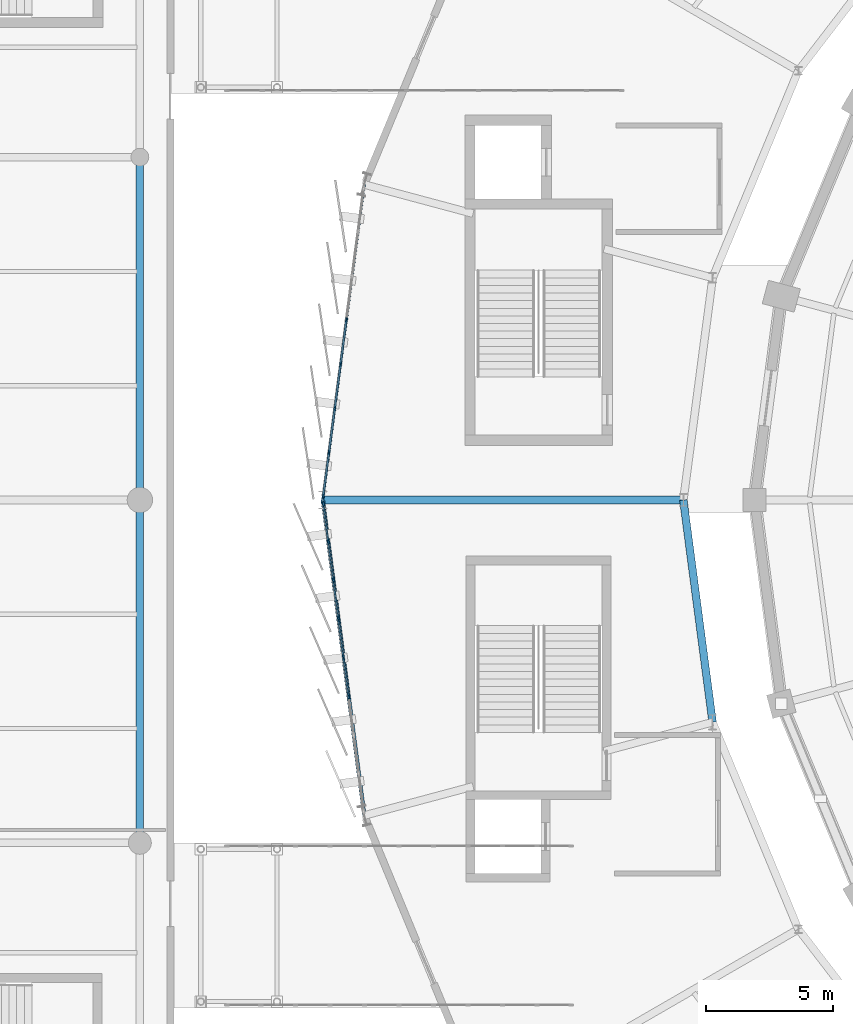
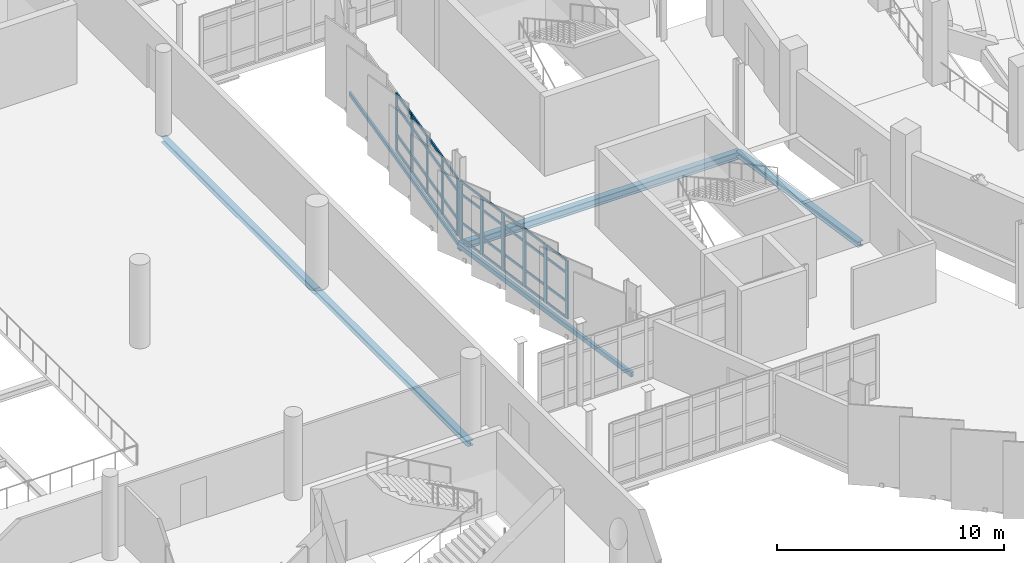
# One storey, part 46 of 134: 47 members, 6 beams, 2 elements without a shape of their own.
"""IFC4 building model written with IfcOpenShell, lengths in metres."""

from ifc_helpers import new_model, si_unit, direction, frame, origin, origin_2d, place, context, subcontext, project, spatial, rectangle, hollow_rectangle, i_section, extrude, material, layer, layer_set, material_profile, profile_set, type_object, element, aggregate, save


model = new_model("IFC4")

# Units and contexts
model_context = context("Model", 3, precision=1e-05, world=origin(), true_north=direction((0.0, 1.0)))
body_context = subcontext(model_context, "Body", "Model", "MODEL_VIEW")
ifc_project = project(units=[si_unit("LENGTHUNIT", "METRE"), si_unit("AREAUNIT", "SQUARE_METRE"), si_unit("VOLUMEUNIT", "CUBIC_METRE"), si_unit("PLANEANGLEUNIT", "RADIAN"), si_unit("MASSUNIT", "GRAM", prefix="KILO")], contexts=[model_context])

# Site, building, storey
site_placement = place(None, origin())
site = spatial("IfcSite", under=ifc_project, at=site_placement, CompositionType="ELEMENT")
building_placement = place(site_placement, origin())
building = spatial("IfcBuilding", under=site, at=building_placement, Name="Sohan Crest Arena", CompositionType="ELEMENT")
storey_placement = place(building_placement, frame((0.0, 0.0, 4.5)))
storey = spatial("IfcBuildingStorey", under=building, at=storey_placement, Name="L01", CompositionType="ELEMENT", Elevation=4.5)

# Curtain wall, members
ifc_material_1 = material(Name="Thermally broken anodised aluminium", Category="aluminium")
ifc_layer_1 = layer(ifc_material_1, 0.2099609375, Name="Thermally broken anodised aluminium")
ifc_layer_set_1 = layer_set([ifc_layer_1], Name="Thermally broken anodised aluminium")
curtain_wall_type_1 = type_object("IfcCurtainWallType", Name="ARC-CW06", PredefinedType="NOTDEFINED", material=ifc_layer_set_1)
curtain_wall_1_placement = place(storey_placement, origin())
curtain_wall_1 = element("IfcCurtainWall", 1, at=curtain_wall_1_placement, inside=storey, type_object=curtain_wall_type_1, Name="Unitised curtain wall CW-024", PredefinedType="NOTDEFINED")
ifc_material_profile_1 = material_profile(ifc_material_1, rectangle(XDim=0.06494140625, YDim=0.179931640625, at=origin_2d()), Name="ALU-MULL 65x180")
ifc_profile_set_1 = profile_set([ifc_material_profile_1], Name="Thermally broken anodised aluminium")
member_type_1 = type_object("IfcMemberType", Name="ARC-CW-ML02", PredefinedType="MULLION", material=ifc_profile_set_1)
member_1_placement = place(storey_placement, frame((50.932373046875, 85.080322265625, 0.0), z_axis=(0.0, 0.0, 1.0), x_axis=(0.991440142438, -0.130562031094, 0.0)))
member_1 = element("IfcMember", 2, at=member_1_placement, type_object=member_type_1, Name="CW-024 mullion 4", PredefinedType="MULLION", context=body_context, shape_type="SweptSolid", body=[
    extrude(rectangle(XDim=0.06494140625, YDim=0.179931640625, at=origin_2d()), origin(), (0.0, 0.0, 1.0), 3.1201171875),
])
member_2_placement = place(storey_placement, frame((50.70361328125, 83.342529296875, 0.0), z_axis=(0.0, 0.0, 1.0), x_axis=(0.991440142438, -0.130562031094, 0.0)))
member_2 = element("IfcMember", 3, at=member_2_placement, type_object=member_type_1, Name="CW-024 mullion 5", PredefinedType="MULLION", context=body_context, shape_type="SweptSolid", body=[
    extrude(rectangle(XDim=0.06494140625, YDim=0.179931640625, at=origin_2d()), origin(), (0.0, 0.0, 1.0), 3.1201171875),
])
member_3_placement = place(storey_placement, frame((50.474609375, 81.604736328125, 0.0), z_axis=(0.0, 0.0, 1.0), x_axis=(0.991440142438, -0.130562031094, 0.0)))
member_3 = element("IfcMember", 4, at=member_3_placement, type_object=member_type_1, Name="CW-024 mullion 6", PredefinedType="MULLION", context=body_context, shape_type="SweptSolid", body=[
    extrude(rectangle(XDim=0.06494140625, YDim=0.179931640625, at=origin_2d()), origin(), (0.0, 0.0, 1.0), 3.1201171875),
])
member_4_placement = place(storey_placement, frame((50.245849609375, 79.866943359375, 0.0), z_axis=(0.0, 0.0, 1.0), x_axis=(0.991440142438, -0.130562031094, 0.0)))
member_4 = element("IfcMember", 5, at=member_4_placement, type_object=member_type_1, Name="CW-024 mullion 7", PredefinedType="MULLION", context=body_context, shape_type="SweptSolid", body=[
    extrude(rectangle(XDim=0.06494140625, YDim=0.179931640625, at=origin_2d()), origin(), (0.0, 0.0, 1.0), 3.1201171875),
])
member_5_placement = place(storey_placement, frame((50.021240234375, 78.1611328125, 0.0), z_axis=(0.0, 0.0, 1.0), x_axis=(0.991440142438, -0.130562031094, 0.0)))
member_5 = element("IfcMember", 6, at=member_5_placement, type_object=member_type_1, Name="CW-024 mullion 8", PredefinedType="MULLION", context=body_context, shape_type="SweptSolid", body=[
    extrude(rectangle(XDim=0.06494140625, YDim=0.179931640625, at=origin_2d()), origin(), (0.0, 0.0, 1.0), 3.1201171875),
])

ifc_layer_2 = layer(ifc_material_1, 0.179931640625, Name="Thermally broken anodised aluminium")
ifc_layer_set_2 = layer_set([ifc_layer_2], Name="Thermally broken anodised aluminium")
curtain_wall_type_2 = type_object("IfcCurtainWallType", Name="ARC-CW01", PredefinedType="NOTDEFINED", material=ifc_layer_set_2)
curtain_wall_2_placement = place(storey_placement, origin())
curtain_wall_2 = element("IfcCurtainWall", 7, at=curtain_wall_2_placement, inside=storey, type_object=curtain_wall_type_2, Name="Unitised curtain wall CW-025", PredefinedType="NOTDEFINED")
ifc_material_profile_2 = material_profile(ifc_material_1, rectangle(XDim=0.070068359375, YDim=0.199951171875, at=origin_2d()), Name="ALU-MULL 70x200")
ifc_profile_set_2 = profile_set([ifc_material_profile_2], Name="Thermally broken anodised aluminium")
member_type_2 = type_object("IfcMemberType", Name="ARC-CW-ML03", PredefinedType="MULLION", material=ifc_profile_set_2)
member_6_placement = place(storey_placement, frame((50.021484375, 77.836181640625, 0.0), z_axis=(0.0, 0.0, 1.0), x_axis=(0.991440142438, 0.130562031094, 0.0)))
member_6 = element("IfcMember", 8, at=member_6_placement, type_object=member_type_2, Name="CW-025 mullion 1", PredefinedType="MULLION", context=body_context, shape_type="SweptSolid", body=[
    extrude(rectangle(XDim=0.070068359375, YDim=0.199951171875, at=origin_2d()), origin(), (0.0, 0.0, 1.0), 3.1201171875),
])
member_7_placement = place(storey_placement, frame((50.21728515625, 76.350341796875, 0.0), z_axis=(0.0, 0.0, 1.0), x_axis=(0.991440142438, 0.130562031094, 0.0)))
member_7 = element("IfcMember", 9, at=member_7_placement, type_object=member_type_2, Name="CW-025 mullion 2", PredefinedType="MULLION", context=body_context, shape_type="SweptSolid", body=[
    extrude(rectangle(XDim=0.070068359375, YDim=0.199951171875, at=origin_2d()), origin(), (0.0, 0.0, 1.0), 3.1201171875),
])
member_8_placement = place(storey_placement, frame((50.41748046875, 74.829833984375, 0.0), z_axis=(0.0, 0.0, 1.0), x_axis=(0.991440142438, 0.130562031094, 0.0)))
member_8 = element("IfcMember", 10, at=member_8_placement, type_object=member_type_2, Name="CW-025 mullion 3", PredefinedType="MULLION", context=body_context, shape_type="SweptSolid", body=[
    extrude(rectangle(XDim=0.070068359375, YDim=0.199951171875, at=origin_2d()), origin(), (0.0, 0.0, 1.0), 3.1201171875),
])
member_9_placement = place(storey_placement, frame((50.61767578125, 73.30908203125, 0.0), z_axis=(0.0, 0.0, 1.0), x_axis=(0.991440142438, 0.130562031094, 0.0)))
member_9 = element("IfcMember", 11, at=member_9_placement, type_object=member_type_2, Name="CW-025 mullion 4", PredefinedType="MULLION", context=body_context, shape_type="SweptSolid", body=[
    extrude(rectangle(XDim=0.070068359375, YDim=0.199951171875, at=origin_2d()), origin(), (0.0, 0.0, 1.0), 3.1201171875),
])
member_10_placement = place(storey_placement, frame((50.818115234375, 71.78857421875, 0.0), z_axis=(0.0, 0.0, 1.0), x_axis=(0.991440142438, 0.130562031094, 0.0)))
member_10 = element("IfcMember", 12, at=member_10_placement, type_object=member_type_2, Name="CW-025 mullion 5", PredefinedType="MULLION", context=body_context, shape_type="SweptSolid", body=[
    extrude(rectangle(XDim=0.070068359375, YDim=0.199951171875, at=origin_2d()), origin(), (0.0, 0.0, 1.0), 3.1201171875),
])
member_11_placement = place(storey_placement, frame((51.018310546875, 70.267822265625, 0.0), z_axis=(0.0, 0.0, 1.0), x_axis=(0.991440142438, 0.130562031094, 0.0)))
member_11 = element("IfcMember", 13, at=member_11_placement, type_object=member_type_2, Name="CW-025 mullion 6", PredefinedType="MULLION", context=body_context, shape_type="SweptSolid", body=[
    extrude(rectangle(XDim=0.070068359375, YDim=0.199951171875, at=origin_2d()), origin(), (0.0, 0.0, 1.0), 3.1201171875),
])
ifc_material_profile_3 = material_profile(ifc_material_1, rectangle(XDim=0.06005859375, YDim=0.1201171875, at=origin_2d()), Name="ALU-TRAN 60x120")
ifc_profile_set_3 = profile_set([ifc_material_profile_3], Name="Thermally broken anodised aluminium")
member_type_3 = type_object("IfcMemberType", Name="ARC-CW-TR01", PredefinedType="USERDEFINED", material=ifc_profile_set_3)
member_12_placement = place(storey_placement, frame((50.026123046875, 77.801513671875, 0.030029296875), z_axis=(0.130551758415, -0.991441495185, 0.0), x_axis=(0.991441495185, 0.130551758415, 0.0)))
member_12 = element("IfcMember", 14, at=member_12_placement, type_object=member_type_3, Name="CW-025 transom 1.1", ObjectType="TRANSOM", PredefinedType="USERDEFINED", context=body_context, shape_type="SweptSolid", body=[
    extrude(rectangle(XDim=0.06005859375, YDim=0.1201171875, at=origin_2d()), origin(), (0.0, 0.0, 1.0), 1.4287109375),
])
member_13_placement = place(storey_placement, frame((50.026123046875, 77.801513671875, 0.89990234375), z_axis=(0.130551758415, -0.991441495185, 0.0), x_axis=(0.991441495185, 0.130551758415, 0.0)))
member_13 = element("IfcMember", 15, at=member_13_placement, type_object=member_type_3, Name="CW-025 transom 1.2", ObjectType="TRANSOM", PredefinedType="USERDEFINED", context=body_context, shape_type="SweptSolid", body=[
    extrude(rectangle(XDim=0.06005859375, YDim=0.1201171875, at=origin_2d()), origin(), (0.0, 0.0, 1.0), 1.4287109375),
])
member_14_placement = place(storey_placement, frame((50.026123046875, 77.801513671875, 2.419921875), z_axis=(0.130551758415, -0.991441495185, 0.0), x_axis=(0.991441495185, 0.130551758415, 0.0)))
member_14 = element("IfcMember", 16, at=member_14_placement, type_object=member_type_3, Name="CW-025 transom 1.3", ObjectType="TRANSOM", PredefinedType="USERDEFINED", context=body_context, shape_type="SweptSolid", body=[
    extrude(rectangle(XDim=0.06005859375, YDim=0.1201171875, at=origin_2d()), origin(), (0.0, 0.0, 1.0), 1.4287109375),
])
member_15_placement = place(storey_placement, frame((50.026123046875, 77.801513671875, 3.090087890625), z_axis=(0.130551758415, -0.991441495185, 0.0), x_axis=(0.991441495185, 0.130551758415, 0.0)))
member_15 = element("IfcMember", 17, at=member_15_placement, type_object=member_type_3, Name="CW-025 transom 1.4", ObjectType="TRANSOM", PredefinedType="USERDEFINED", context=body_context, shape_type="SweptSolid", body=[
    extrude(rectangle(XDim=0.06005859375, YDim=0.1201171875, at=origin_2d()), origin(), (0.0, 0.0, 1.0), 1.4287109375),
])
member_16_placement = place(storey_placement, frame((50.221923828125, 76.315673828125, 0.030029296875), z_axis=(0.13043725351, -0.991456566319, 0.0), x_axis=(0.991456566319, 0.13043725351, 0.0)))
member_16 = element("IfcMember", 18, at=member_16_placement, type_object=member_type_3, Name="CW-025 transom 2.1", ObjectType="TRANSOM", PredefinedType="USERDEFINED", context=body_context, shape_type="SweptSolid", body=[
    extrude(rectangle(XDim=0.06005859375, YDim=0.1201171875, at=origin_2d()), origin(), (0.0, 0.0, 1.0), 1.463623046875),
])
member_17_placement = place(storey_placement, frame((50.221923828125, 76.315673828125, 0.89990234375), z_axis=(0.13043725351, -0.991456566319, 0.0), x_axis=(0.991456566319, 0.13043725351, 0.0)))
member_17 = element("IfcMember", 19, at=member_17_placement, type_object=member_type_3, Name="CW-025 transom 2.2", ObjectType="TRANSOM", PredefinedType="USERDEFINED", context=body_context, shape_type="SweptSolid", body=[
    extrude(rectangle(XDim=0.06005859375, YDim=0.1201171875, at=origin_2d()), origin(), (0.0, 0.0, 1.0), 1.463623046875),
])
member_18_placement = place(storey_placement, frame((50.221923828125, 76.315673828125, 2.419921875), z_axis=(0.13043725351, -0.991456566319, 0.0), x_axis=(0.991456566319, 0.13043725351, 0.0)))
member_18 = element("IfcMember", 20, at=member_18_placement, type_object=member_type_3, Name="CW-025 transom 2.3", ObjectType="TRANSOM", PredefinedType="USERDEFINED", context=body_context, shape_type="SweptSolid", body=[
    extrude(rectangle(XDim=0.06005859375, YDim=0.1201171875, at=origin_2d()), origin(), (0.0, 0.0, 1.0), 1.463623046875),
])
member_19_placement = place(storey_placement, frame((50.221923828125, 76.315673828125, 3.090087890625), z_axis=(0.13043725351, -0.991456566319, 0.0), x_axis=(0.991456566319, 0.13043725351, 0.0)))
member_19 = element("IfcMember", 21, at=member_19_placement, type_object=member_type_3, Name="CW-025 transom 2.4", ObjectType="TRANSOM", PredefinedType="USERDEFINED", context=body_context, shape_type="SweptSolid", body=[
    extrude(rectangle(XDim=0.06005859375, YDim=0.1201171875, at=origin_2d()), origin(), (0.0, 0.0, 1.0), 1.463623046875),
])
member_20_placement = place(storey_placement, frame((50.422119140625, 74.795166015625, 0.030029296875), z_axis=(0.130579616175, -0.991437826512, 0.0), x_axis=(0.991437826512, 0.130579616175, 0.0)))
member_20 = element("IfcMember", 22, at=member_20_placement, type_object=member_type_3, Name="CW-025 transom 3.1", ObjectType="TRANSOM", PredefinedType="USERDEFINED", context=body_context, shape_type="SweptSolid", body=[
    extrude(rectangle(XDim=0.06005859375, YDim=0.1201171875, at=origin_2d()), origin(), (0.0, 0.0, 1.0), 1.4638671875),
])
member_21_placement = place(storey_placement, frame((50.422119140625, 74.795166015625, 0.89990234375), z_axis=(0.130579616175, -0.991437826512, 0.0), x_axis=(0.991437826512, 0.130579616175, 0.0)))
member_21 = element("IfcMember", 23, at=member_21_placement, type_object=member_type_3, Name="CW-025 transom 3.2", ObjectType="TRANSOM", PredefinedType="USERDEFINED", context=body_context, shape_type="SweptSolid", body=[
    extrude(rectangle(XDim=0.06005859375, YDim=0.1201171875, at=origin_2d()), origin(), (0.0, 0.0, 1.0), 1.4638671875),
])
member_22_placement = place(storey_placement, frame((50.422119140625, 74.795166015625, 2.419921875), z_axis=(0.130579616175, -0.991437826512, 0.0), x_axis=(0.991437826512, 0.130579616175, 0.0)))
member_22 = element("IfcMember", 24, at=member_22_placement, type_object=member_type_3, Name="CW-025 transom 3.3", ObjectType="TRANSOM", PredefinedType="USERDEFINED", context=body_context, shape_type="SweptSolid", body=[
    extrude(rectangle(XDim=0.06005859375, YDim=0.1201171875, at=origin_2d()), origin(), (0.0, 0.0, 1.0), 1.4638671875),
])
member_23_placement = place(storey_placement, frame((50.422119140625, 74.795166015625, 3.090087890625), z_axis=(0.130579616175, -0.991437826512, 0.0), x_axis=(0.991437826512, 0.130579616175, 0.0)))
member_23 = element("IfcMember", 25, at=member_23_placement, type_object=member_type_3, Name="CW-025 transom 3.4", ObjectType="TRANSOM", PredefinedType="USERDEFINED", context=body_context, shape_type="SweptSolid", body=[
    extrude(rectangle(XDim=0.06005859375, YDim=0.1201171875, at=origin_2d()), origin(), (0.0, 0.0, 1.0), 1.4638671875),
])
member_24_placement = place(storey_placement, frame((50.622314453125, 73.2744140625, 0.030029296875), z_axis=(0.130601209806, -0.991434982234, 0.0), x_axis=(0.991434982234, 0.130601209806, 0.0)))
member_24 = element("IfcMember", 26, at=member_24_placement, type_object=member_type_3, Name="CW-025 transom 4.1", ObjectType="TRANSOM", PredefinedType="USERDEFINED", context=body_context, shape_type="SweptSolid", body=[
    extrude(rectangle(XDim=0.06005859375, YDim=0.1201171875, at=origin_2d()), origin(), (0.0, 0.0, 1.0), 1.463623046875),
])
member_25_placement = place(storey_placement, frame((50.622314453125, 73.2744140625, 0.89990234375), z_axis=(0.130601209806, -0.991434982234, 0.0), x_axis=(0.991434982234, 0.130601209806, 0.0)))
member_25 = element("IfcMember", 27, at=member_25_placement, type_object=member_type_3, Name="CW-025 transom 4.2", ObjectType="TRANSOM", PredefinedType="USERDEFINED", context=body_context, shape_type="SweptSolid", body=[
    extrude(rectangle(XDim=0.06005859375, YDim=0.1201171875, at=origin_2d()), origin(), (0.0, 0.0, 1.0), 1.463623046875),
])
member_26_placement = place(storey_placement, frame((50.622314453125, 73.2744140625, 2.419921875), z_axis=(0.130601209806, -0.991434982234, 0.0), x_axis=(0.991434982234, 0.130601209806, 0.0)))
member_26 = element("IfcMember", 28, at=member_26_placement, type_object=member_type_3, Name="CW-025 transom 4.3", ObjectType="TRANSOM", PredefinedType="USERDEFINED", context=body_context, shape_type="SweptSolid", body=[
    extrude(rectangle(XDim=0.06005859375, YDim=0.1201171875, at=origin_2d()), origin(), (0.0, 0.0, 1.0), 1.463623046875),
])
member_27_placement = place(storey_placement, frame((50.622314453125, 73.2744140625, 3.090087890625), z_axis=(0.130601209806, -0.991434982234, 0.0), x_axis=(0.991434982234, 0.130601209806, 0.0)))
member_27 = element("IfcMember", 29, at=member_27_placement, type_object=member_type_3, Name="CW-025 transom 4.4", ObjectType="TRANSOM", PredefinedType="USERDEFINED", context=body_context, shape_type="SweptSolid", body=[
    extrude(rectangle(XDim=0.06005859375, YDim=0.1201171875, at=origin_2d()), origin(), (0.0, 0.0, 1.0), 1.463623046875),
])
member_28_placement = place(storey_placement, frame((50.822509765625, 71.75390625, 0.030029296875), z_axis=(0.130579616175, -0.991437826512, 0.0), x_axis=(0.991437826512, 0.130579616175, 0.0)))
member_28 = element("IfcMember", 30, at=member_28_placement, type_object=member_type_3, Name="CW-025 transom 5.1", ObjectType="TRANSOM", PredefinedType="USERDEFINED", context=body_context, shape_type="SweptSolid", body=[
    extrude(rectangle(XDim=0.06005859375, YDim=0.1201171875, at=origin_2d()), origin(), (0.0, 0.0, 1.0), 1.4638671875),
])
member_29_placement = place(storey_placement, frame((50.822509765625, 71.75390625, 0.89990234375), z_axis=(0.130579616175, -0.991437826512, 0.0), x_axis=(0.991437826512, 0.130579616175, 0.0)))
member_29 = element("IfcMember", 31, at=member_29_placement, type_object=member_type_3, Name="CW-025 transom 5.2", ObjectType="TRANSOM", PredefinedType="USERDEFINED", context=body_context, shape_type="SweptSolid", body=[
    extrude(rectangle(XDim=0.06005859375, YDim=0.1201171875, at=origin_2d()), origin(), (0.0, 0.0, 1.0), 1.4638671875),
])
member_30_placement = place(storey_placement, frame((50.822509765625, 71.75390625, 2.419921875), z_axis=(0.130579616175, -0.991437826512, 0.0), x_axis=(0.991437826512, 0.130579616175, 0.0)))
member_30 = element("IfcMember", 32, at=member_30_placement, type_object=member_type_3, Name="CW-025 transom 5.3", ObjectType="TRANSOM", PredefinedType="USERDEFINED", context=body_context, shape_type="SweptSolid", body=[
    extrude(rectangle(XDim=0.06005859375, YDim=0.1201171875, at=origin_2d()), origin(), (0.0, 0.0, 1.0), 1.4638671875),
])
member_31_placement = place(storey_placement, frame((50.822509765625, 71.75390625, 3.090087890625), z_axis=(0.130579616175, -0.991437826512, 0.0), x_axis=(0.991437826512, 0.130579616175, 0.0)))
member_31 = element("IfcMember", 33, at=member_31_placement, type_object=member_type_3, Name="CW-025 transom 5.4", ObjectType="TRANSOM", PredefinedType="USERDEFINED", context=body_context, shape_type="SweptSolid", body=[
    extrude(rectangle(XDim=0.06005859375, YDim=0.1201171875, at=origin_2d()), origin(), (0.0, 0.0, 1.0), 1.4638671875),
])
aggregate(curtain_wall_2, [member_6, member_7, member_8, member_9, member_10, member_11, member_12, member_13, member_14, member_15, member_16, member_17, member_18, member_19, member_20, member_21, member_22, member_23, member_24, member_25, member_26, member_27, member_28, member_29, member_30, member_31])

# Member
ifc_material_profile_4 = material_profile(ifc_material_1, rectangle(XDim=0.070068359375, YDim=0.14990234375, at=origin_2d()), Name="ALU-TRAN 70x150")
ifc_profile_set_4 = profile_set([ifc_material_profile_4], Name="Thermally broken anodised aluminium")
member_type_4 = type_object("IfcMemberType", Name="ARC-CW-TR03", PredefinedType="USERDEFINED", material=ifc_profile_set_4)
member_32_placement = place(storey_placement, frame((50.92822265625, 85.048095703125, 0.034912109375), z_axis=(-0.130619150099, -0.991432618803, 0.0), x_axis=(0.991432618803, -0.130619150099, 0.0)))
member_32 = element("IfcMember", 34, at=member_32_placement, type_object=member_type_4, Name="CW-024 transom 4.1", ObjectType="TRANSOM", PredefinedType="USERDEFINED", context=body_context, shape_type="SweptSolid", body=[
    extrude(rectangle(XDim=0.070068359375, YDim=0.14990234375, at=origin_2d()), origin(), (0.0, 0.0, 1.0), 1.687744140625),
])

member_33_placement = place(storey_placement, frame((50.92822265625, 85.048095703125, 0.89990234375), z_axis=(-0.130619150099, -0.991432618803, 0.0), x_axis=(0.991432618803, -0.130619150099, 0.0)))
member_33 = element("IfcMember", 35, at=member_33_placement, type_object=member_type_4, Name="CW-024 transom 4.2", ObjectType="TRANSOM", PredefinedType="USERDEFINED", context=body_context, shape_type="SweptSolid", body=[
    extrude(rectangle(XDim=0.070068359375, YDim=0.14990234375, at=origin_2d()), origin(), (0.0, 0.0, 1.0), 1.687744140625),
])

member_34_placement = place(storey_placement, frame((50.92822265625, 85.048095703125, 2.419921875), z_axis=(-0.130619150099, -0.991432618803, 0.0), x_axis=(0.991432618803, -0.130619150099, 0.0)))
member_34 = element("IfcMember", 36, at=member_34_placement, type_object=member_type_4, Name="CW-024 transom 4.3", ObjectType="TRANSOM", PredefinedType="USERDEFINED", context=body_context, shape_type="SweptSolid", body=[
    extrude(rectangle(XDim=0.070068359375, YDim=0.14990234375, at=origin_2d()), origin(), (0.0, 0.0, 1.0), 1.687744140625),
])

member_35_placement = place(storey_placement, frame((50.92822265625, 85.048095703125, 3.0849609375), z_axis=(-0.130619150099, -0.991432618803, 0.0), x_axis=(0.991432618803, -0.130619150099, 0.0)))
member_35 = element("IfcMember", 37, at=member_35_placement, type_object=member_type_4, Name="CW-024 transom 4.4", ObjectType="TRANSOM", PredefinedType="USERDEFINED", context=body_context, shape_type="SweptSolid", body=[
    extrude(rectangle(XDim=0.070068359375, YDim=0.14990234375, at=origin_2d()), origin(), (0.0, 0.0, 1.0), 1.687744140625),
])

member_36_placement = place(storey_placement, frame((50.69921875, 83.310302734375, 0.034912109375), z_axis=(-0.130476963779, -0.991451341178, 0.0), x_axis=(0.991451341178, -0.130476963779, 0.0)))
member_36 = element("IfcMember", 38, at=member_36_placement, type_object=member_type_4, Name="CW-024 transom 5.1", ObjectType="TRANSOM", PredefinedType="USERDEFINED", context=body_context, shape_type="SweptSolid", body=[
    extrude(rectangle(XDim=0.070068359375, YDim=0.14990234375, at=origin_2d()), origin(), (0.0, 0.0, 1.0), 1.687744140625),
])

member_37_placement = place(storey_placement, frame((50.69921875, 83.310302734375, 0.89990234375), z_axis=(-0.130476963779, -0.991451341178, 0.0), x_axis=(0.991451341178, -0.130476963779, 0.0)))
member_37 = element("IfcMember", 39, at=member_37_placement, type_object=member_type_4, Name="CW-024 transom 5.2", ObjectType="TRANSOM", PredefinedType="USERDEFINED", context=body_context, shape_type="SweptSolid", body=[
    extrude(rectangle(XDim=0.070068359375, YDim=0.14990234375, at=origin_2d()), origin(), (0.0, 0.0, 1.0), 1.687744140625),
])

member_38_placement = place(storey_placement, frame((50.69921875, 83.310302734375, 2.419921875), z_axis=(-0.130476963779, -0.991451341178, 0.0), x_axis=(0.991451341178, -0.130476963779, 0.0)))
member_38 = element("IfcMember", 40, at=member_38_placement, type_object=member_type_4, Name="CW-024 transom 5.3", ObjectType="TRANSOM", PredefinedType="USERDEFINED", context=body_context, shape_type="SweptSolid", body=[
    extrude(rectangle(XDim=0.070068359375, YDim=0.14990234375, at=origin_2d()), origin(), (0.0, 0.0, 1.0), 1.687744140625),
])

member_39_placement = place(storey_placement, frame((50.69921875, 83.310302734375, 3.0849609375), z_axis=(-0.130476963779, -0.991451341178, 0.0), x_axis=(0.991451341178, -0.130476963779, 0.0)))
member_39 = element("IfcMember", 41, at=member_39_placement, type_object=member_type_4, Name="CW-024 transom 5.4", ObjectType="TRANSOM", PredefinedType="USERDEFINED", context=body_context, shape_type="SweptSolid", body=[
    extrude(rectangle(XDim=0.070068359375, YDim=0.14990234375, at=origin_2d()), origin(), (0.0, 0.0, 1.0), 1.687744140625),
])

member_40_placement = place(storey_placement, frame((50.470458984375, 81.572509765625, 0.034912109375), z_axis=(-0.130619150099, -0.991432618803, 0.0), x_axis=(0.991432618803, -0.130619150099, 0.0)))
member_40 = element("IfcMember", 42, at=member_40_placement, type_object=member_type_4, Name="CW-024 transom 6.1", ObjectType="TRANSOM", PredefinedType="USERDEFINED", context=body_context, shape_type="SweptSolid", body=[
    extrude(rectangle(XDim=0.070068359375, YDim=0.14990234375, at=origin_2d()), origin(), (0.0, 0.0, 1.0), 1.687744140625),
])

member_41_placement = place(storey_placement, frame((50.470458984375, 81.572509765625, 0.89990234375), z_axis=(-0.130619150099, -0.991432618803, 0.0), x_axis=(0.991432618803, -0.130619150099, 0.0)))
member_41 = element("IfcMember", 43, at=member_41_placement, type_object=member_type_4, Name="CW-024 transom 6.2", ObjectType="TRANSOM", PredefinedType="USERDEFINED", context=body_context, shape_type="SweptSolid", body=[
    extrude(rectangle(XDim=0.070068359375, YDim=0.14990234375, at=origin_2d()), origin(), (0.0, 0.0, 1.0), 1.687744140625),
])

member_42_placement = place(storey_placement, frame((50.470458984375, 81.572509765625, 2.419921875), z_axis=(-0.130619150099, -0.991432618803, 0.0), x_axis=(0.991432618803, -0.130619150099, 0.0)))
member_42 = element("IfcMember", 44, at=member_42_placement, type_object=member_type_4, Name="CW-024 transom 6.3", ObjectType="TRANSOM", PredefinedType="USERDEFINED", context=body_context, shape_type="SweptSolid", body=[
    extrude(rectangle(XDim=0.070068359375, YDim=0.14990234375, at=origin_2d()), origin(), (0.0, 0.0, 1.0), 1.687744140625),
])

member_43_placement = place(storey_placement, frame((50.470458984375, 81.572509765625, 3.0849609375), z_axis=(-0.130619150099, -0.991432618803, 0.0), x_axis=(0.991432618803, -0.130619150099, 0.0)))
member_43 = element("IfcMember", 45, at=member_43_placement, type_object=member_type_4, Name="CW-024 transom 6.4", ObjectType="TRANSOM", PredefinedType="USERDEFINED", context=body_context, shape_type="SweptSolid", body=[
    extrude(rectangle(XDim=0.070068359375, YDim=0.14990234375, at=origin_2d()), origin(), (0.0, 0.0, 1.0), 1.687744140625),
])

member_44_placement = place(storey_placement, frame((50.24169921875, 79.834716796875, 0.034912109375), z_axis=(-0.13065668865, -0.991427672456, 0.0), x_axis=(0.991427672456, -0.13065668865, 0.0)))
member_44 = element("IfcMember", 46, at=member_44_placement, type_object=member_type_4, Name="CW-024 transom 7.1", ObjectType="TRANSOM", PredefinedType="USERDEFINED", context=body_context, shape_type="SweptSolid", body=[
    extrude(rectangle(XDim=0.070068359375, YDim=0.14990234375, at=origin_2d()), origin(), (0.0, 0.0, 1.0), 1.655517578125),
])

member_45_placement = place(storey_placement, frame((50.24169921875, 79.834716796875, 0.89990234375), z_axis=(-0.13065668865, -0.991427672456, 0.0), x_axis=(0.991427672456, -0.13065668865, 0.0)))
member_45 = element("IfcMember", 47, at=member_45_placement, type_object=member_type_4, Name="CW-024 transom 7.2", ObjectType="TRANSOM", PredefinedType="USERDEFINED", context=body_context, shape_type="SweptSolid", body=[
    extrude(rectangle(XDim=0.070068359375, YDim=0.14990234375, at=origin_2d()), origin(), (0.0, 0.0, 1.0), 1.655517578125),
])

member_46_placement = place(storey_placement, frame((50.24169921875, 79.834716796875, 2.419921875), z_axis=(-0.13065668865, -0.991427672456, 0.0), x_axis=(0.991427672456, -0.13065668865, 0.0)))
member_46 = element("IfcMember", 48, at=member_46_placement, type_object=member_type_4, Name="CW-024 transom 7.3", ObjectType="TRANSOM", PredefinedType="USERDEFINED", context=body_context, shape_type="SweptSolid", body=[
    extrude(rectangle(XDim=0.070068359375, YDim=0.14990234375, at=origin_2d()), origin(), (0.0, 0.0, 1.0), 1.655517578125),
])

member_47_placement = place(storey_placement, frame((50.24169921875, 79.834716796875, 3.0849609375), z_axis=(-0.13065668865, -0.991427672456, 0.0), x_axis=(0.991427672456, -0.13065668865, 0.0)))
member_47 = element("IfcMember", 49, at=member_47_placement, type_object=member_type_4, Name="CW-024 transom 7.4", ObjectType="TRANSOM", PredefinedType="USERDEFINED", context=body_context, shape_type="SweptSolid", body=[
    extrude(rectangle(XDim=0.070068359375, YDim=0.14990234375, at=origin_2d()), origin(), (0.0, 0.0, 1.0), 1.655517578125),
])

aggregate(curtain_wall_1, [member_1, member_2, member_3, member_4, member_5, member_32, member_33, member_34, member_35, member_36, member_37, member_38, member_39, member_40, member_41, member_42, member_43, member_44, member_45, member_46, member_47])

# Beams
ifc_material_2 = material(Name="Steel S355", Category="steel")
ifc_material_profile_5 = material_profile(ifc_material_2, i_section(OverallWidth=0.300048828125, OverallDepth=0.2900390625, WebThickness=0.008544921875, FlangeThickness=0.013916015625, at=origin_2d()), Name="HEA 300")
ifc_profile_set_5 = profile_set([ifc_material_profile_5], Name="Steel S355")
beam_type_1 = type_object("IfcBeamType", Name="STR-BM-B08", PredefinedType="BEAM", material=ifc_profile_set_5)
for number, where, z_axis, x_axis, name in (
    (50, (42.800048828125, 64.5, -0.35498046875), (0.0, 1.0, 0.0), (-1.0, 0.0, 0.0), "Structural beam G-L01-1994"),
    (51, (42.800048828125, 78.0, -0.35498046875), (0.0, 1.0, 0.0), (-1.0, 0.0, 0.0), "Structural beam G-L01-1995"),
):
    element("IfcBeam", number, at=place(storey_placement, frame(where, z_axis=z_axis, x_axis=x_axis)), inside=storey, type_object=beam_type_1, Name=name, PredefinedType="BEAM", context=body_context, shape_type="SweptSolid", body=[
        extrude(i_section(OverallWidth=0.300048828125, OverallDepth=0.2900390625, WebThickness=0.008544921875, FlangeThickness=0.013916015625, at=origin_2d()), origin(), (0.0, 0.0, 1.0), 13.5),
    ])
ifc_material_profile_6 = material_profile(ifc_material_2, i_section(OverallWidth=0.300048828125, OverallDepth=0.300048828125, WebThickness=0.010986328125, FlangeThickness=0.01904296875, at=origin_2d()), Name="HEB 300")
ifc_profile_set_6 = profile_set([ifc_material_profile_6], Name="Steel S355")
beam_type_2 = type_object("IfcBeamType", Name="STR-BM-B12", PredefinedType="BEAM", material=ifc_profile_set_6)
beam_1_placement = place(storey_placement, frame((64.199951171875, 78.0, -0.425048828125), z_axis=(0.130570461953, -0.991439032147, 0.0), x_axis=(0.991439032147, 0.130570461953, 0.0)))
element("IfcBeam", 52, at=beam_1_placement, inside=storey, type_object=beam_type_2, Name="Structural beam G-L01-1116", PredefinedType="BEAM", context=body_context, shape_type="SweptSolid", body=[
    extrude(i_section(OverallWidth=0.300048828125, OverallDepth=0.300048828125, WebThickness=0.010986328125, FlangeThickness=0.01904296875, at=origin_2d()), origin(), (0.0, 0.0, 1.0), 8.823486328125),
])
ifc_material_profile_7 = material_profile(ifc_material_2, i_section(OverallWidth=0.300048828125, OverallDepth=0.39990234375, WebThickness=0.013427734375, FlangeThickness=0.02392578125, at=origin_2d()), Name="HEB 400")
ifc_profile_set_7 = profile_set([ifc_material_profile_7], Name="Steel S355")
beam_type_3 = type_object("IfcBeamType", Name="STR-BM-B13", PredefinedType="BEAM", material=ifc_profile_set_7)
beam_2_placement = place(storey_placement, frame((64.199951171875, 78.0, -0.47509765625), z_axis=(-1.0, 0.0, 0.0), x_axis=(0.0, -1.0, 0.0)))
element("IfcBeam", 53, at=beam_2_placement, inside=storey, type_object=beam_type_3, Name="Structural beam G-L01-1115", PredefinedType="BEAM", context=body_context, shape_type="SweptSolid", body=[
    extrude(i_section(OverallWidth=0.300048828125, OverallDepth=0.39990234375, WebThickness=0.013427734375, FlangeThickness=0.02392578125, at=origin_2d()), origin(), (0.0, 0.0, 1.0), 14.199951171875),
])
ifc_material_profile_8 = material_profile(ifc_material_2, hollow_rectangle(XDim=0.10009765625, YDim=0.199951171875, WallThickness=0.008056640625, at=origin_2d()), Name="RHS 200x100x8")
ifc_profile_set_8 = profile_set([ifc_material_profile_8], Name="Steel S355")
beam_type_4 = type_object("IfcBeamType", Name="STR-BM-SP01", PredefinedType="SPANDREL", material=ifc_profile_set_8)
beam_3_placement = place(storey_placement, frame((51.635986328125, 90.423095703125, -0.375), z_axis=(-0.130561865783, -0.991440164207, 0.0), x_axis=(0.991440164207, -0.130561865783, 0.0)))
element("IfcBeam", 54, at=beam_3_placement, inside=storey, type_object=beam_type_4, Name="Structural beam SP-L01-1114", PredefinedType="SPANDREL", context=body_context, shape_type="SweptSolid", body=[
    extrude(hollow_rectangle(XDim=0.10009765625, YDim=0.199951171875, WallThickness=0.008056640625, at=origin_2d()), origin(), (0.0, 0.0, 1.0), 12.5302734375),
])
ifc_material_profile_9 = material_profile(ifc_material_2, hollow_rectangle(XDim=0.14990234375, YDim=0.25, WallThickness=0.010009765625, at=origin_2d()), Name="RHS 250x150x10")
ifc_profile_set_9 = profile_set([ifc_material_profile_9], Name="Steel S355")
beam_type_5 = type_object("IfcBeamType", Name="STR-BM-SP02", PredefinedType="SPANDREL", material=ifc_profile_set_9)
beam_4_placement = place(storey_placement, frame((50.0, 78.0, -0.39990234375), z_axis=(0.130561865783, -0.991440164207, 0.0), x_axis=(0.991440164207, 0.130561865783, 0.0)))
element("IfcBeam", 55, at=beam_4_placement, inside=storey, type_object=beam_type_5, Name="Structural beam SP-L01-1117", PredefinedType="SPANDREL", context=body_context, shape_type="SweptSolid", body=[
    extrude(hollow_rectangle(XDim=0.14990234375, YDim=0.25, WallThickness=0.010009765625, at=origin_2d()), origin(), (0.0, 0.0, 1.0), 12.5302734375),
])

save(model, "model.ifc")
